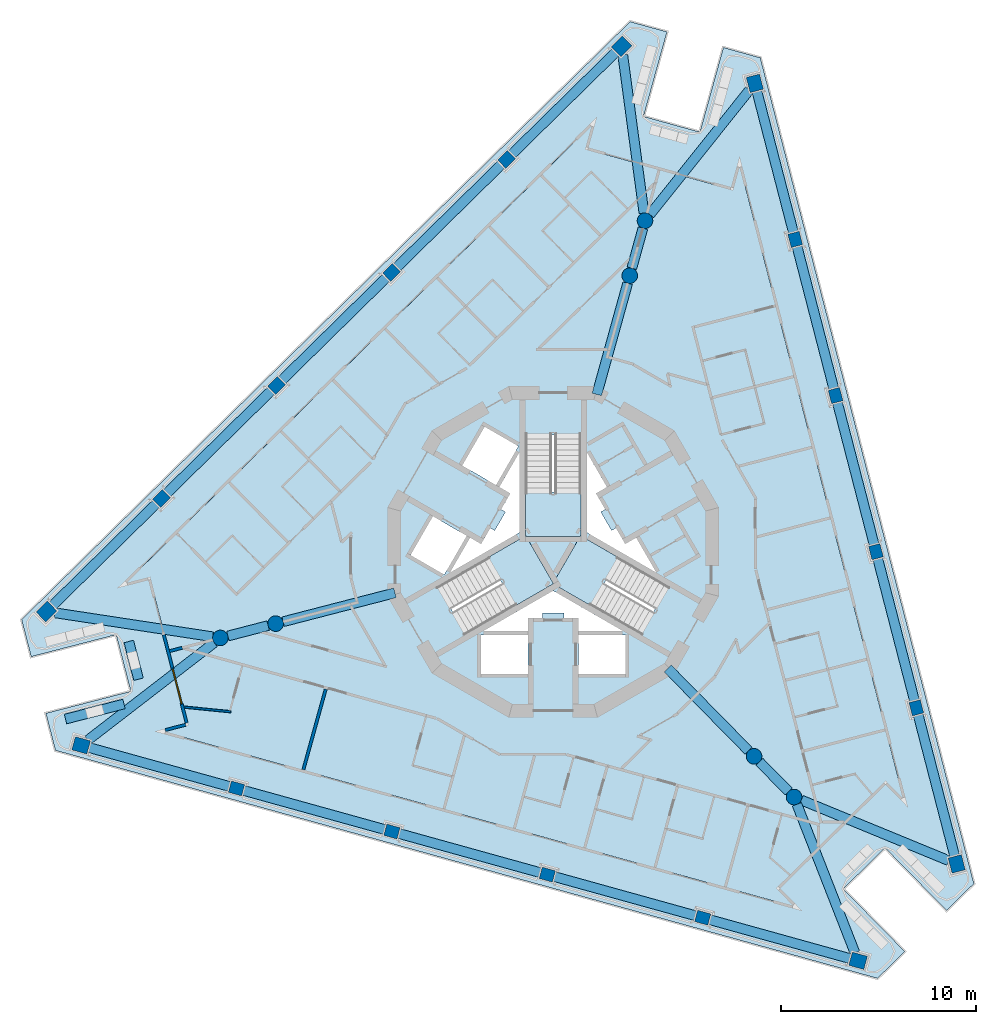
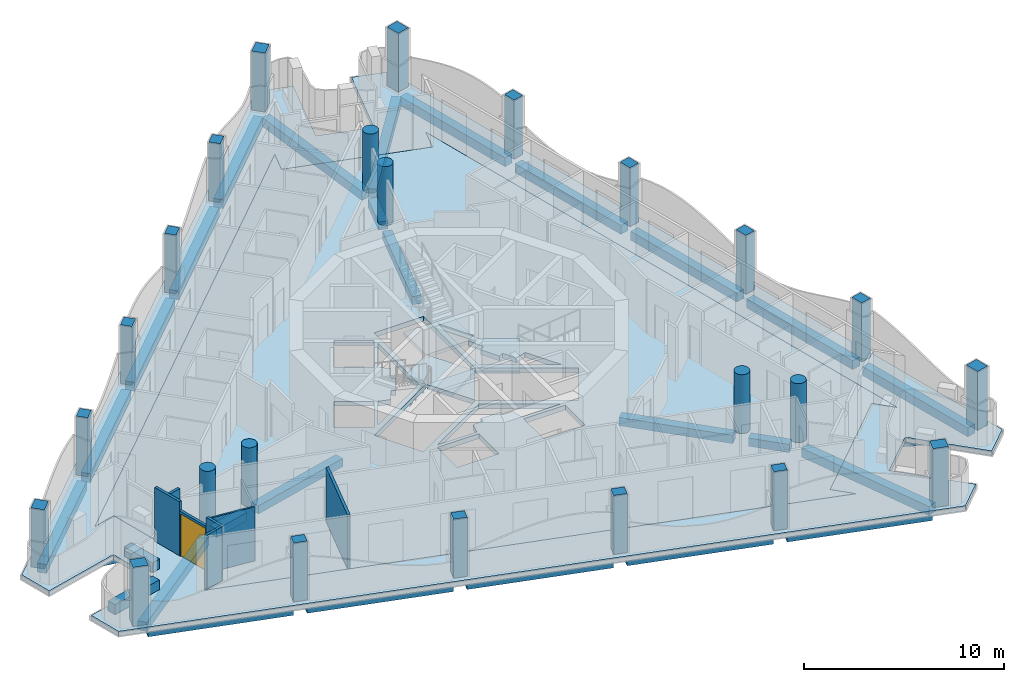
# One storey, part 1 of 14: 27 beams, 24 columns, 9 walls, 6 slabs, 1 door, 1 opening, 3 elements without a shape of their own.
"""IFC4 building model written with IfcOpenShell, lengths in metres."""

from ifc_helpers import new_model, si_unit, direction, frame, frame_2d, origin, origin_2d, place, context, subcontext, project, spatial, polyline, rectangle, circle, outline, extrude, material, layer, layer_set, material_profile, profile_set, type_object, element, fill, aggregate, save


model = new_model("IFC4")

# Units and contexts
model_context = context("Model", 3, precision=1e-05, world=origin(), true_north=direction((0.0, 1.0)))
body_context = subcontext(model_context, "Body", "Model", "MODEL_VIEW")
ifc_project = project(units=[si_unit("LENGTHUNIT", "METRE"), si_unit("AREAUNIT", "SQUARE_METRE"), si_unit("VOLUMEUNIT", "CUBIC_METRE"), si_unit("PLANEANGLEUNIT", "RADIAN"), si_unit("MASSUNIT", "GRAM", prefix="KILO")], contexts=[model_context])

# Site, building, storey
site_placement = place(None, origin())
site = spatial("IfcSite", under=ifc_project, at=site_placement, CompositionType="ELEMENT")
building_placement = place(site_placement, origin())
building = spatial("IfcBuilding", under=site, at=building_placement, Name="Trine Commons Tower", CompositionType="ELEMENT")
storey_placement = place(building_placement, frame((0.0, 0.0, 242.10009765625)))
storey = spatial("IfcBuildingStorey", under=building, at=storey_placement, Name="L63", CompositionType="ELEMENT", Elevation=242.10009765625)

# Columns
ifc_material_1 = material(Name="Concrete C50/60", Category="concrete")
ifc_material_profile_1 = material_profile(ifc_material_1, rectangle(XDim=0.699951171875, YDim=0.60009765625, at=origin_2d()), Name="RC 700x600")
ifc_profile_set_1 = profile_set([ifc_material_profile_1], Name="Concrete C50/60")
column_type_1 = type_object("IfcColumnType", Name="RC column 700x600, C50/60", PredefinedType="COLUMN", material=ifc_profile_set_1)
for number, where, z_axis, x_axis, name in (
    (1, (87.668701171875, 43.74072265625, 0.0), (0.0, 0.0, 1.0), (-0.963630453209, 0.267238376078, 0.0), "Column PC7-02 L63"),
    (2, (79.70068359375, 45.950439453125, 0.0), (0.0, 0.0, 1.0), (-0.963630453209, 0.267238376078, 0.0), "Column PC7-03 L63"),
    (3, (71.73291015625, 48.16015625, 0.0), (0.0, 0.0, 1.0), (-0.963630453209, 0.267238376078, 0.0), "Column PC7-04 L63"),
    (4, (63.764892578125, 50.369873046875, 0.0), (0.0, 0.0, 1.0), (-0.963630453209, 0.267238376078, 0.0), "Column PC7-05 L63"),
    (5, (59.91943359375, 65.23828125, 0.0), (0.0, 0.0, 1.0), (0.713250449154, 0.7009092643, 0.0), "Column PC7-08 L63"),
    (6, (65.817138671875, 71.033935546875, 0.0), (0.0, 0.0, 1.0), (0.713250449154, 0.7009092643, 0.0), "Column PC7-09 L63"),
    (7, (71.71484375, 76.82958984375, 0.0), (0.0, 0.0, 1.0), (0.713250449154, 0.7009092643, 0.0), "Column PC7-10 L63"),
    (8, (77.612548828125, 82.625244140625, 0.0), (0.0, 0.0, 1.0), (0.713250449154, 0.7009092643, 0.0), "Column PC7-11 L63"),
    (9, (92.41162109375, 78.52099609375, 0.0), (0.0, 0.0, 1.0), (-0.250380004054, 0.968147640378, 0.0), "Column PC7-14 L63"),
    (10, (94.48193359375, 70.515625, 0.0), (0.0, 0.0, 1.0), (-0.250380004054, 0.968147640378, 0.0), "Column PC7-15 L63"),
    (11, (96.55224609375, 62.51025390625, 0.0), (0.0, 0.0, 1.0), (-0.250380004054, 0.968147640378, 0.0), "Column PC7-16 L63"),
    (12, (98.622802734375, 54.5048828125, 0.0), (0.0, 0.0, 1.0), (-0.250380004054, 0.968147640378, 0.0), "Column PC7-17 L63"),
):
    element("IfcColumn", number, at=place(storey_placement, frame(where, z_axis=z_axis, x_axis=x_axis)), inside=storey, type_object=column_type_1, Name=name, PredefinedType="COLUMN", context=body_context, shape_type="SweptSolid", body=[
        extrude(rectangle(XDim=0.699951171875, YDim=0.60009765625, at=origin_2d()), origin(), (0.0, 0.0, 1.0), 3.599853515625),
    ])
ifc_material_profile_2 = material_profile(ifc_material_1, rectangle(XDim=0.800048828125, YDim=0.699951171875, at=origin_2d()), Name="RC 800x700")
ifc_profile_set_2 = profile_set([ifc_material_profile_2], Name="Concrete C50/60")
column_type_2 = type_object("IfcColumnType", Name="RC column 800x700, C50/60", PredefinedType="COLUMN", material=ifc_profile_set_2)
for number, where, z_axis, x_axis, name in (
    (13, (95.63671875, 41.531005859375, 0.0), (0.0, 0.0, 1.0), (-0.963630453209, 0.267238376078, 0.0), "Column PC7-01 L63"),
    (14, (55.796875, 52.57958984375, 0.0), (0.0, 0.0, 1.0), (-0.963630453209, 0.267238376078, 0.0), "Column PC7-06 L63"),
    (15, (54.02197265625, 59.442626953125, 0.0), (0.0, 0.0, 1.0), (0.713250449154, 0.7009092643, 0.0), "Column PC7-07 L63"),
    (16, (83.51025390625, 88.4208984375, 0.0), (0.0, 0.0, 1.0), (0.713250449154, 0.7009092643, 0.0), "Column PC7-12 L63"),
    (17, (90.34130859375, 86.5263671875, 0.0), (0.0, 0.0, 1.0), (-0.250380004054, 0.968147640378, 0.0), "Column PC7-13 L63"),
    (18, (100.693115234375, 46.499755859375, 0.0), (0.0, 0.0, 1.0), (-0.250380004054, 0.968147640378, 0.0), "Column PC7-18 L63"),
):
    element("IfcColumn", number, at=place(storey_placement, frame(where, z_axis=z_axis, x_axis=x_axis)), inside=storey, type_object=column_type_2, Name=name, PredefinedType="COLUMN", context=body_context, shape_type="SweptSolid", body=[
        extrude(rectangle(XDim=0.800048828125, YDim=0.699951171875, at=origin_2d()), origin(), (0.0, 0.0, 1.0), 3.599853515625),
    ])
ifc_material_profile_3 = material_profile(ifc_material_1, circle(Radius=0.39990234375, at=origin_2d()), Name="RC round 800")
ifc_profile_set_3 = profile_set([ifc_material_profile_3], Name="Concrete C50/60")
column_type_3 = type_object("IfcColumnType", Name="RC round column 800 mm, C50/60", PredefinedType="COLUMN", material=ifc_profile_set_3)
for number, where, z_axis, x_axis, name in (
    (19, (90.301513671875, 52.01708984375, 0.0), (0.0, 0.0, 1.0), (1.0, 0.0, 0.0), "Column WC7-1 L63"),
    (20, (92.352783203125, 49.9296875, 0.0), (0.0, 0.0, 1.0), (1.0, 0.0, 0.0), "Column WC7-2 L63"),
    (21, (83.927734375, 76.66259765625, 0.0), (0.0, 0.0, 1.0), (1.0, 0.0, 0.0), "Column WC7-3 L63"),
    (22, (84.709716796875, 79.48291015625, 0.0), (0.0, 0.0, 1.0), (1.0, 0.0, 0.0), "Column WC7-4 L63"),
    (23, (65.77099609375, 58.820068359375, 0.0), (0.0, 0.0, 1.0), (1.0, 0.0, 0.0), "Column WC7-5 L63"),
    (24, (62.9375, 58.08740234375, 0.0), (0.0, 0.0, 1.0), (1.0, 0.0, 0.0), "Column WC7-6 L63"),
):
    element("IfcColumn", number, at=place(storey_placement, frame(where, z_axis=z_axis, x_axis=x_axis)), inside=storey, type_object=column_type_3, Name=name, PredefinedType="COLUMN", context=body_context, shape_type="SweptSolid", body=[
        extrude(circle(Radius=0.39990234375, at=origin_2d()), origin(), (0.0, 0.0, 1.0), 3.599853515625),
    ])

# Beams
ifc_material_2 = material(Name="Concrete C40/50", Category="concrete")
ifc_material_profile_4 = material_profile(ifc_material_2, rectangle(XDim=0.5, YDim=0.5, at=origin_2d()), Name="RC 500x500")
ifc_profile_set_4 = profile_set([ifc_material_profile_4], Name="Concrete C40/50")
beam_type_1 = type_object("IfcBeamType", Name="RC beam 500x500, C40/50", PredefinedType="BEAM", material=ifc_profile_set_4)
beam_1_placement = place(storey_placement, frame((85.87353515625, 56.523193359375, -0.550048828125), z_axis=(0.700890997639, -0.713268399292, 0.0), x_axis=(0.713268399292, 0.700890997639, 0.0)))
element("IfcBeam", 25, at=beam_1_placement, inside=storey, type_object=beam_type_1, Name="Beam RB7-01 L63", PredefinedType="BEAM", context=body_context, shape_type="SweptSolid", body=[
    extrude(rectangle(XDim=0.5, YDim=0.5, at=origin_2d()), origin(), (0.0, 0.0, 1.0), 5.91748046875),
])
beam_2_placement = place(storey_placement, frame((90.581787109375, 51.73193359375, -0.550048828125), z_axis=(0.70093857454, -0.713221644877, 0.0), x_axis=(0.713221644877, 0.70093857454, 0.0)))
element("IfcBeam", 26, at=beam_2_placement, inside=storey, type_object=beam_type_1, Name="Beam RB7-02 L63", PredefinedType="BEAM", context=body_context, shape_type="SweptSolid", body=[
    extrude(rectangle(XDim=0.5, YDim=0.5, at=origin_2d()), origin(), (0.0, 0.0, 1.0), 2.126708984375),
])
beam_3_placement = place(storey_placement, frame((82.239501953125, 70.574951171875, -0.550048828125), z_axis=(0.267209770713, 0.963638385721, 0.0), x_axis=(-0.963638385721, 0.267209770713, 0.0)))
element("IfcBeam", 27, at=beam_3_placement, inside=storey, type_object=beam_type_1, Name="Beam RB7-03 L63", PredefinedType="BEAM", context=body_context, shape_type="SweptSolid", body=[
    extrude(rectangle(XDim=0.5, YDim=0.5, at=origin_2d()), origin(), (0.0, 0.0, 1.0), 5.917724609375),
])
beam_4_placement = place(storey_placement, frame((84.034423828125, 77.0478515625, -0.550048828125), z_axis=(0.267270963033, 0.963621415453, 0.0), x_axis=(-0.963621415453, 0.267270963033, 0.0)))
element("IfcBeam", 28, at=beam_4_placement, inside=storey, type_object=beam_type_1, Name="Beam RB7-04 L63", PredefinedType="BEAM", context=body_context, shape_type="SweptSolid", body=[
    extrude(rectangle(XDim=0.5, YDim=0.5, at=origin_2d()), origin(), (0.0, 0.0, 1.0), 2.12744140625),
])
beam_5_placement = place(storey_placement, frame((71.88720703125, 60.40185546875, -0.550048828125), z_axis=(-0.968150015074, -0.250370821607, 0.0), x_axis=(0.250370821607, -0.968150015074, 0.0)))
element("IfcBeam", 29, at=beam_5_placement, inside=storey, type_object=beam_type_1, Name="Beam RB7-05 L63", PredefinedType="BEAM", context=body_context, shape_type="SweptSolid", body=[
    extrude(rectangle(XDim=0.5, YDim=0.5, at=origin_2d()), origin(), (0.0, 0.0, 1.0), 5.91796875),
])
beam_6_placement = place(storey_placement, frame((65.384033203125, 58.72021484375, -0.550048828125), z_axis=(-0.968118610388, -0.250492227863, 0.0), x_axis=(0.250492227863, -0.968118610388, 0.0)))
element("IfcBeam", 30, at=beam_6_placement, inside=storey, type_object=beam_type_1, Name="Beam RB7-06 L63", PredefinedType="BEAM", context=body_context, shape_type="SweptSolid", body=[
    extrude(rectangle(XDim=0.5, YDim=0.5, at=origin_2d()), origin(), (0.0, 0.0, 1.0), 2.127685546875),
])
ifc_material_profile_5 = material_profile(ifc_material_2, rectangle(XDim=0.5, YDim=0.550048828125, at=origin_2d()), Name="RC 500x550")
ifc_profile_set_5 = profile_set([ifc_material_profile_5], Name="Concrete C40/50")
beam_type_2 = type_object("IfcBeamType", Name="RC beam 500x550, C40/50", PredefinedType="BEAM", material=ifc_profile_set_5)
beam_7_placement = place(storey_placement, frame((95.251220703125, 41.6376953125, -0.5751953125), z_axis=(-0.963621113681, 0.267272051042, 0.0), x_axis=(-0.267272051042, -0.963621113681, 0.0)))
element("IfcBeam", 31, at=beam_7_placement, inside=storey, type_object=beam_type_2, Name="Beam EB7-01 L63", PredefinedType="BEAM", context=body_context, shape_type="SweptSolid", body=[
    extrude(rectangle(XDim=0.5, YDim=0.550048828125, at=origin_2d()), origin(), (0.0, 0.0, 1.0), 7.5185546875),
])
for number, where, z_axis, x_axis, name in (
    (32, (87.33154296875, 43.834228515625, -0.5751953125), (-0.963628737279, 0.267244563445, 0.0), (-0.267244563445, -0.963628737279, 0.0), "Beam EB7-02 L63"),
    (33, (79.363525390625, 46.0439453125, -0.5751953125), (-0.963628737279, 0.267244563445, 0.0), (-0.267244563445, -0.963628737279, 0.0), "Beam EB7-03 L63"),
    (34, (71.3955078125, 48.253662109375, -0.5751953125), (-0.963628737279, 0.267244563445, 0.0), (-0.267244563445, -0.963628737279, 0.0), "Beam EB7-04 L63"),
):
    element("IfcBeam", number, at=place(storey_placement, frame(where, z_axis=z_axis, x_axis=x_axis)), inside=storey, type_object=beam_type_2, Name=name, PredefinedType="BEAM", context=body_context, shape_type="SweptSolid", body=[
        extrude(rectangle(XDim=0.5, YDim=0.550048828125, at=origin_2d()), origin(), (0.0, 0.0, 1.0), 7.56884765625),
    ])
for number, where, z_axis, x_axis, name in (
    (35, (63.427490234375, 50.46337890625, -0.5751953125), (-0.963629476257, 0.267241898827, 0.0), (-0.267241898827, -0.963629476257, 0.0), "Beam EB7-05 L63"),
    (36, (54.30712890625, 59.72314453125, -0.5751953125), (0.713265514722, 0.700893933137, 0.0), (-0.700893933137, 0.713265514722, 0.0), "Beam EB7-06 L63"),
):
    element("IfcBeam", number, at=place(storey_placement, frame(where, z_axis=z_axis, x_axis=x_axis)), inside=storey, type_object=beam_type_2, Name=name, PredefinedType="BEAM", context=body_context, shape_type="SweptSolid", body=[
        extrude(rectangle(XDim=0.5, YDim=0.550048828125, at=origin_2d()), origin(), (0.0, 0.0, 1.0), 7.5185546875),
    ])
for number, where, z_axis, x_axis, name in (
    (37, (60.169189453125, 65.483642578125, -0.5751953125), (0.713256929801, 0.700902669485, 0.0), (-0.700902669485, 0.713256929801, 0.0), "Beam EB7-07 L63"),
    (38, (66.06689453125, 71.279296875, -0.5751953125), (0.713256929801, 0.700902669485, 0.0), (-0.700902669485, 0.713256929801, 0.0), "Beam EB7-08 L63"),
    (39, (71.964599609375, 77.074951171875, -0.5751953125), (0.713241082752, 0.700918795492, 0.0), (-0.700918795492, 0.713241082752, 0.0), "Beam EB7-09 L63"),
):
    element("IfcBeam", number, at=place(storey_placement, frame(where, z_axis=z_axis, x_axis=x_axis)), inside=storey, type_object=beam_type_2, Name=name, PredefinedType="BEAM", context=body_context, shape_type="SweptSolid", body=[
        extrude(rectangle(XDim=0.5, YDim=0.550048828125, at=origin_2d()), origin(), (0.0, 0.0, 1.0), 7.568603515625),
    ])
beam_8_placement = place(storey_placement, frame((77.862060546875, 82.87060546875, -0.5751953125), z_axis=(0.713265514722, 0.700893933137, 0.0), x_axis=(-0.700893933137, 0.713265514722, 0.0)))
element("IfcBeam", 40, at=beam_8_placement, inside=storey, type_object=beam_type_2, Name="Beam EB7-10 L63", PredefinedType="BEAM", context=body_context, shape_type="SweptSolid", body=[
    extrude(rectangle(XDim=0.5, YDim=0.550048828125, at=origin_2d()), origin(), (0.0, 0.0, 1.0), 7.5185546875),
])
beam_9_placement = place(storey_placement, frame((90.441650390625, 86.13916015625, -0.5751953125), z_axis=(0.250381772483, -0.96814718303, 0.0), x_axis=(0.96814718303, 0.250381772483, 0.0)))
element("IfcBeam", 41, at=beam_9_placement, inside=storey, type_object=beam_type_2, Name="Beam EB7-11 L63", PredefinedType="BEAM", context=body_context, shape_type="SweptSolid", body=[
    extrude(rectangle(XDim=0.5, YDim=0.550048828125, at=origin_2d()), origin(), (0.0, 0.0, 1.0), 7.518798828125),
])
for number, where, z_axis, x_axis, name in (
    (42, (92.499267578125, 78.18212890625, -0.5751953125), (0.250375524013, -0.968148798985, 0.0), (0.968148798985, 0.250375524013, 0.0), "Beam EB7-12 L63"),
    (43, (94.569580078125, 70.1767578125, -0.5751953125), (0.250375524013, -0.968148798985, 0.0), (0.968148798985, 0.250375524013, 0.0), "Beam EB7-13 L63"),
    (44, (96.639892578125, 62.17138671875, -0.5751953125), (0.250413578195, -0.968138956894, 0.0), (0.968138956894, 0.250413578195, 0.0), "Beam EB7-14 L63"),
):
    element("IfcBeam", number, at=place(storey_placement, frame(where, z_axis=z_axis, x_axis=x_axis)), inside=storey, type_object=beam_type_2, Name=name, PredefinedType="BEAM", context=body_context, shape_type="SweptSolid", body=[
        extrude(rectangle(XDim=0.5, YDim=0.550048828125, at=origin_2d()), origin(), (0.0, 0.0, 1.0), 7.568603515625),
    ])
beam_10_placement = place(storey_placement, frame((98.710205078125, 54.166015625, -0.5751953125), z_axis=(0.250389643834, -0.96814514731, 0.0), x_axis=(0.96814514731, 0.250389643834, 0.0)))
element("IfcBeam", 45, at=beam_10_placement, inside=storey, type_object=beam_type_2, Name="Beam EB7-15 L63", PredefinedType="BEAM", context=body_context, shape_type="SweptSolid", body=[
    extrude(rectangle(XDim=0.5, YDim=0.550048828125, at=origin_2d()), origin(), (0.0, 0.0, 1.0), 7.5185546875),
])
beam_11_placement = place(storey_placement, frame((56.143310546875, 52.8466796875, -0.5751953125), z_axis=(0.79181565557, 0.610760155539, 0.0), x_axis=(-0.610760155539, 0.79181565557, 0.0)))
element("IfcBeam", 46, at=beam_11_placement, inside=storey, type_object=beam_type_2, Name="Beam CB7-01 L63", PredefinedType="BEAM", context=body_context, shape_type="SweptSolid", body=[
    extrude(rectangle(XDim=0.5, YDim=0.550048828125, at=origin_2d()), origin(), (0.0, 0.0, 1.0), 8.180908203125),
])
for number, where, z_axis, x_axis, name in (
    (47, (54.454345703125, 59.376953125, -0.5751953125), (0.98863822303, -0.150314550074, 0.0), (0.150314550074, 0.98863822303, 0.0), "Beam CB7-02 L63"),
    (48, (83.568359375, 87.9873046875, -0.5751953125), (0.1330354713, -0.99111127699, 0.0), (0.99111127699, 0.1330354713, 0.0), "Beam CB7-03 L63"),
):
    element("IfcBeam", number, at=place(storey_placement, frame(where, z_axis=z_axis, x_axis=x_axis)), inside=storey, type_object=beam_type_2, Name=name, PredefinedType="BEAM", context=body_context, shape_type="SweptSolid", body=[
        extrude(rectangle(XDim=0.5, YDim=0.550048828125, at=origin_2d()), origin(), (0.0, 0.0, 1.0), 8.18115234375),
    ])
beam_12_placement = place(storey_placement, frame((90.068115234375, 86.184814453125, -0.5751953125), z_axis=(-0.624465738686, -0.781052201333, 0.0), x_axis=(0.781052201333, -0.624465738686, 0.0)))
element("IfcBeam", 49, at=beam_12_placement, inside=storey, type_object=beam_type_2, Name="Beam CB7-04 L63", PredefinedType="BEAM", context=body_context, shape_type="SweptSolid", body=[
    extrude(rectangle(XDim=0.5, YDim=0.550048828125, at=origin_2d()), origin(), (0.0, 0.0, 1.0), 8.180908203125),
])
beam_13_placement = place(storey_placement, frame((100.28857421875, 46.666015625, -0.5751953125), z_axis=(-0.924841797532, 0.380352007407, 0.0), x_axis=(-0.380352007407, -0.924841797532, 0.0)))
element("IfcBeam", 50, at=beam_13_placement, inside=storey, type_object=beam_type_2, Name="Beam CB7-05 L63", PredefinedType="BEAM", context=body_context, shape_type="SweptSolid", body=[
    extrude(rectangle(XDim=0.5, YDim=0.550048828125, at=origin_2d()), origin(), (0.0, 0.0, 1.0), 8.1806640625),
])
beam_14_placement = place(storey_placement, frame((95.4775390625, 41.938232421875, -0.5751953125), z_axis=(-0.36416079705, 0.931336090727, 0.0), x_axis=(-0.931336090727, -0.36416079705, 0.0)))
element("IfcBeam", 51, at=beam_14_placement, inside=storey, type_object=beam_type_2, Name="Beam CB7-06 L63", PredefinedType="BEAM", context=body_context, shape_type="SweptSolid", body=[
    extrude(rectangle(XDim=0.5, YDim=0.550048828125, at=origin_2d()), origin(), (0.0, 0.0, 1.0), 8.18115234375),
])

# Slabs
ifc_layer_1 = layer(ifc_material_2, 0.300048828125)
ifc_layer_set_1 = layer_set([ifc_layer_1], Name="Concrete C40/50")
slab_type_1 = type_object("IfcSlabType", Name="Loggia slab 300 mm, C40/50", PredefinedType="FLOOR", material=ifc_layer_set_1)
slab_1_placement = place(storey_placement, frame((0.0, 0.0, -0.300048828125)))
element("IfcSlab", 52, at=slab_1_placement, inside=storey, type_object=slab_type_1, Name="Loggia slab L63", PredefinedType="FLOOR", context=body_context, shape_type="SweptSolid", body=[
    extrude(outline(polyline([(101.57421875, 45.488037109375), (90.621826171875, 87.83837890625), (88.72900390625, 88.36328125), (87.526611328125, 84.02685546875), (84.6357421875, 84.82861328125), (85.838134765625, 89.1650390625), (83.945556640625, 89.68994140625), (52.745361328125, 59.029541015625), (53.2373046875, 57.1279296875), (57.593994140625, 58.254638671875), (58.344970703125, 55.350341796875), (53.98828125, 54.2236328125), (54.47998046875, 52.322021484375), (96.6328125, 40.632080078125), (98.03369140625, 42.0087890625), (94.879638671875, 45.218505859375), (97.019287109375, 47.321044921875), (100.17333984375, 44.111572265625), (101.57421875, 45.488037109375)]), holes=[polyline([(59.31640625, 61.17919921875), (61.26953125, 53.627685546875), (59.96728515625, 53.291015625), (92.42822265625, 44.28857421875), (91.485595703125, 45.248046875), (97.048828125, 50.715087890625), (97.99169921875, 49.755615234375), (89.557373046875, 82.368896484375), (89.197998046875, 81.07275390625), (81.681640625, 83.1572265625), (82.041015625, 84.453369140625), (58.014404296875, 60.84228515625), (59.31640625, 61.17919921875)])]), origin(), (0.0, 0.0, 1.0), 0.300048828125),
])
ifc_layer_2 = layer(ifc_material_2, 0.300048828125)
ifc_layer_set_2 = layer_set([ifc_layer_2], Name="Concrete C40/50")
slab_type_2 = type_object("IfcSlabType", Name="PT flat slab 300 mm, C40/50", PredefinedType="FLOOR", material=ifc_layer_set_2)
slab_2_placement = place(storey_placement, frame((0.0, 0.0, -0.300048828125)))
element("IfcSlab", 53, at=slab_2_placement, inside=storey, type_object=slab_type_2, Name="Floor slab L63", PredefinedType="FLOOR", context=body_context, shape_type="SweptSolid", body=[
    extrude(outline(polyline([(58.014404296875, 60.84228515625), (59.31640625, 61.17919921875), (61.26953125, 53.627685546875), (59.96728515625, 53.291015625), (92.42822265625, 44.28857421875), (91.485595703125, 45.248046875), (97.048828125, 50.715087890625), (97.99169921875, 49.755615234375), (89.557373046875, 82.368896484375), (89.197998046875, 81.07275390625), (81.681640625, 83.1572265625), (82.041015625, 84.453369140625), (58.014404296875, 60.84228515625)]), holes=[polyline([(78.699951171875, 56.25), (78.699951171875, 58.25), (76.300048828125, 58.25), (76.300048828125, 56.25), (78.699951171875, 56.25)]), polyline([(83.699951171875, 56.25), (83.699951171875, 58.25), (81.300048828125, 58.25), (81.300048828125, 56.25), (83.699951171875, 56.25)]), polyline([(81.300048828125, 58.449951171875), (83.56494140625, 58.449951171875), (80.0, 60.508056640625), (76.43505859375, 58.449951171875), (78.699951171875, 58.449951171875), (78.85009765625, 59.10009765625), (79.449951171875, 59.10009765625), (79.449951171875, 59.360107421875), (80.550048828125, 59.360107421875), (80.550048828125, 59.10009765625), (81.14990234375, 59.10009765625), (81.300048828125, 58.449951171875)]), polyline([(81.425048828125, 63.32275390625), (81.425048828125, 68.490478515625), (78.574951171875, 68.490478515625), (78.574951171875, 63.32275390625), (74.099609375, 60.73876953125), (75.5244140625, 58.2705078125), (80.0, 60.8544921875), (84.4755859375, 58.2705078125), (85.900390625, 60.73876953125), (81.425048828125, 63.32275390625)]), polyline([(72.687255859375, 62.333984375), (74.41943359375, 61.333984375), (75.5693359375, 63.325927734375), (73.83740234375, 64.325927734375), (72.687255859375, 62.333984375)]), polyline([(76.381103515625, 63.031005859375), (75.742919921875, 63.22607421875), (74.7099609375, 61.43798828125), (78.27490234375, 63.49609375), (78.27490234375, 67.612060546875), (77.242919921875, 65.823974609375), (77.73095703125, 65.368896484375), (77.3310546875, 64.676025390625), (77.555908203125, 64.5458984375), (77.006103515625, 63.593994140625), (76.781005859375, 63.722900390625), (76.381103515625, 63.031005859375)]), polyline([(82.993896484375, 63.593994140625), (82.444091796875, 64.5458984375), (82.72705078125, 64.7099609375), (82.281005859375, 65.549072265625), (82.757080078125, 65.823974609375), (81.72509765625, 67.612060546875), (81.72509765625, 63.49609375), (85.2900390625, 61.43798828125), (84.257080078125, 63.22607421875), (83.618896484375, 63.031005859375), (83.243896484375, 63.738037109375), (82.993896484375, 63.593994140625)]), polyline([(76.4873046875, 68.916015625), (75.33740234375, 66.924072265625), (77.0693359375, 65.924072265625), (78.219482421875, 67.916015625), (76.4873046875, 68.916015625)])]), origin(), (0.0, 0.0, 1.0), 0.300048828125),
])
slab_3_placement = place(storey_placement, frame((0.0, 0.0, -0.300048828125)))
element("IfcSlab", 54, at=slab_3_placement, inside=storey, type_object=slab_type_2, Name="Floor slab L63 2", PredefinedType="FLOOR", context=body_context, shape_type="SweptSolid", body=[
    extrude(outline(polyline([(81.38671875, 63.300537109375), (78.61328125, 63.300537109375), (80.0, 60.89892578125), (81.38671875, 63.300537109375)])), origin(), (0.0, 0.0, 1.0), 0.300048828125),
])

# Stair, slab
stair_type = type_object("IfcStairType", Name="Exit stair, dog-leg, 24 risers of 150 mm", PredefinedType="HALF_TURN_STAIR", material=ifc_material_1)
stair_1_placement = place(storey_placement, origin())
stair_1 = element("IfcStair", 55, at=stair_1_placement, inside=storey, type_object=stair_type, Name="L63 Exit stair ST1C", PredefinedType="HALF_TURN_STAIR")
ifc_layer_3 = layer(ifc_material_1, 0.199951171875)
ifc_layer_set_3 = layer_set([ifc_layer_3], Name="Concrete C50/60")
slab_type_3 = type_object("IfcSlabType", Name="Stair landing slab 200 mm, C50/60", PredefinedType="LANDING", material=ifc_layer_set_3)
slab_4_placement = place(storey_placement, frame((0.0, 0.0, 1.599853515625)))
slab_4 = element("IfcSlab", 56, at=slab_4_placement, type_object=slab_type_3, Name="ST1C landing 1", PredefinedType="LANDING", context=body_context, shape_type="SweptSolid", body=[
    extrude(outline(polyline([(78.574951171875, 65.570556640625), (78.574951171875, 63.300537109375), (81.425048828125, 63.300537109375), (81.425048828125, 65.570556640625), (78.574951171875, 65.570556640625)])), origin(), (0.0, 0.0, 1.0), 0.199951171875),
])
aggregate(stair_1, [slab_4])

stair_2_placement = place(storey_placement, origin())
stair_2 = element("IfcStair", 57, at=stair_2_placement, inside=storey, type_object=stair_type, Name="L63 Exit stair ST2C", PredefinedType="HALF_TURN_STAIR")
slab_5_placement = place(storey_placement, frame((0.0, 0.0, 1.599853515625)))
slab_5 = element("IfcSlab", 58, at=slab_5_placement, type_object=slab_type_3, Name="ST2C landing 1", PredefinedType="LANDING", context=body_context, shape_type="SweptSolid", body=[
    extrude(outline(polyline([(78.05322265625, 59.730712890625), (80.019287109375, 60.86572265625), (78.59423828125, 63.333740234375), (76.628173828125, 62.19873046875), (78.05322265625, 59.730712890625)])), origin(), (0.0, 0.0, 1.0), 0.199951171875),
])
aggregate(stair_2, [slab_5])

stair_3_placement = place(storey_placement, origin())
stair_3 = element("IfcStair", 59, at=stair_3_placement, inside=storey, type_object=stair_type, Name="L63 Exit stair ST3C", PredefinedType="HALF_TURN_STAIR")
slab_6_placement = place(storey_placement, frame((0.0, 0.0, 1.599853515625)))
slab_6 = element("IfcSlab", 60, at=slab_6_placement, type_object=slab_type_3, Name="ST3C landing 1", PredefinedType="LANDING", context=body_context, shape_type="SweptSolid", body=[
    extrude(outline(polyline([(83.371826171875, 62.19873046875), (81.40576171875, 63.333740234375), (79.980712890625, 60.86572265625), (81.94677734375, 59.730712890625), (83.371826171875, 62.19873046875)])), origin(), (0.0, 0.0, 1.0), 0.199951171875),
])
aggregate(stair_3, [slab_6])

# Walls
ifc_material_3 = material(Name="Aluminium-framed insulated wall panel", Category="aluminium")
ifc_layer_4 = layer(ifc_material_3, 0.14990234375)
ifc_layer_set_4 = layer_set([ifc_layer_4], Name="Aluminium-framed insulated wall panel")
wall_type_1 = type_object("IfcWallType", Name="Glazed frame wall 150, EI 60", PredefinedType="SOLIDWALL", material=ifc_layer_set_4)
wall_1_placement = place(storey_placement, frame((59.95849609375, 53.32470703125, 0.0), z_axis=(0.0, 0.0, 1.0), x_axis=(0.968124150503, 0.250470815091, 0.0)))
element("IfcWall", 61, at=wall_1_placement, inside=storey, type_object=wall_type_1, Name="Glazed frame wall R10", PredefinedType="SOLIDWALL", context=body_context, shape_type="SweptSolid", body=[
    extrude(outline(polyline([(0.1494140625, 0.074951171875), (0.1494140625, -0.074951171875), (1.235107421875, -0.074951171875), (1.235107421875, 0.074951171875), (0.1494140625, 0.074951171875)])), origin(), (0.0, 0.0, 1.0), 3.2998046875),
])
wall_2_placement = place(storey_placement, frame((61.235595703125, 53.618896484375, 0.0), z_axis=(0.0, 0.0, 1.0), x_axis=(-0.250361300835, 0.968152477167, 0.0)))
element("IfcWall", 62, at=wall_2_placement, inside=storey, type_object=wall_type_1, Name="Glazed frame wall P3.1", PredefinedType="SOLIDWALL", context=body_context, shape_type="SweptSolid", body=[
    extrude(outline(polyline([(0.110107421875, -0.074951171875), (1.10009765625, -0.074951171875), (1.10009765625, 0.074951171875), (0.110107421875, 0.074951171875), (0.110107421875, -0.074951171875)])), origin(), (0.0, 0.0, 1.0), 3.2998046875),
])

# Wall, opening, door
wall_3_placement = place(storey_placement, frame((60.960205078125, 54.683837890625, 0.0), z_axis=(0.0, 0.0, 1.0), x_axis=(-0.250450586115, 0.968129383871, 0.0)))
wall_3 = element("IfcWall", 63, at=wall_3_placement, inside=storey, type_object=wall_type_1, Name="Glazed frame wall P3.2", PredefinedType="SOLIDWALL", context=body_context, shape_type="SweptSolid", body=[
    extrude(outline(polyline([(0.0, -0.074951171875), (1.92138671875, -0.074951171875), (1.92138671875, 0.074951171875), (0.0, 0.074951171875), (0.0, -0.074951171875)])), origin(), (0.0, 0.0, 1.0), 2.75),
])
opening_placement = place(wall_3_placement, frame((0.050048828125, 0.0, 0.0)))
opening = element("IfcOpeningElement", 64, at=opening_placement, cuts=wall_3, Name="Opening BD-7P3-01", PredefinedType="OPENING", context=body_context, shape_type="SweptSolid", body=[
    extrude(rectangle(XDim=1.800048828125, YDim=2.60009765625, at=frame_2d((0.89990234375, 1.300048828125))), frame((0.0, 0.0849609375, 0.0), z_axis=(0.0, -1.0, 0.0), x_axis=(1.0, 0.0, 0.0)), (0.0, 0.0, 1.0), 0.169921875),
])
ifc_material_4 = material(Name="Anodised aluminium frame with double glazing", Category="aluminium")
door_type = type_object("IfcDoorType", Name="Sliding loggia door 1800x2600", OperationType="SLIDING_TO_LEFT", PredefinedType="DOOR", material=ifc_material_4)
door_placement = place(opening_placement, origin())
door = element("IfcDoor", 65, at=door_placement, inside=storey, type_object=door_type, Name="Loggia door P3 1", OperationType="SLIDING_TO_LEFT", OverallHeight=2.60009765625, OverallWidth=1.800048828125, PredefinedType="DOOR", context=body_context, shape_type="SweptSolid", body=[
    extrude(rectangle(XDim=1.800048828125, YDim=2.60009765625, at=frame_2d((0.89990234375, 1.300048828125))), frame((0.0, 0.02490234375, 0.0), z_axis=(0.0, -1.0, 0.0), x_axis=(1.0, 0.0, 0.0)), (0.0, 0.0, 1.0), 0.050048828125),
])
fill(opening, door)

# Walls
wall_4_placement = place(storey_placement, frame((60.47900390625, 56.5439453125, 0.0), z_axis=(0.0, 0.0, 1.0), x_axis=(-0.250373840462, 0.968149234371, 0.0)))
element("IfcWall", 66, at=wall_4_placement, inside=storey, type_object=wall_type_1, Name="Glazed frame wall P3.3", PredefinedType="SOLIDWALL", context=body_context, shape_type="SweptSolid", body=[
    extrude(outline(polyline([(0.0, -0.074951171875), (1.757080078125, -0.074951171875), (1.757080078125, 0.074951171875), (0.0, 0.074951171875), (0.0, -0.074951171875)])), origin(), (0.0, 0.0, 1.0), 3.2998046875),
])
ifc_material_5 = material(Name="Planter trough, precast concrete C40/50", Category="concrete")
ifc_layer_5 = layer(ifc_material_5, 0.5)
ifc_layer_set_5 = layer_set([ifc_layer_5], Name="Planter trough, precast concrete C40/50")
wall_type_2 = type_object("IfcWallType", Name="Planter trough 500x600", PredefinedType="PARAPET", material=ifc_layer_set_5)
wall_5_placement = place(storey_placement, frame((54.994873046875, 53.92626953125, 0.0), z_axis=(0.0, 0.0, 1.0), x_axis=(0.968151190511, 0.250366276306, 0.0)))
element("IfcWall", 67, at=wall_5_placement, inside=storey, type_object=wall_type_2, Name="Planter 1", PredefinedType="PARAPET", context=body_context, shape_type="SweptSolid", body=[
    extrude(rectangle(XDim=3.099853515625, YDim=0.5, at=frame_2d((1.5498046875, 0.0))), origin(), (0.0, 0.0, 1.0), 0.599853515625),
])
wall_6_placement = place(storey_placement, frame((58.74267578125, 55.969482421875, 0.0), z_axis=(0.0, 0.0, 1.0), x_axis=(-0.250483427189, 0.968120887443, 0.0)))
element("IfcWall", 68, at=wall_6_placement, inside=storey, type_object=wall_type_2, Name="Planter 2", PredefinedType="PARAPET", context=body_context, shape_type="SweptSolid", body=[
    extrude(rectangle(XDim=2.0, YDim=0.5, at=frame_2d((1.0, 0.0))), origin(), (0.0, 0.0, 1.0), 0.599853515625),
])
ifc_material_6 = material(Name="Gypsum plasterboard on steel stud", Category="steel")
ifc_layer_6 = layer(ifc_material_6, 0.14990234375)
ifc_layer_set_6 = layer_set([ifc_layer_6], Name="Gypsum plasterboard on steel stud")
wall_type_3 = type_object("IfcWallType", Name="Unit and corridor wall 150 mm, EI 60", PredefinedType="PARTITIONING", material=ifc_layer_set_6)
wall_7_placement = place(storey_placement, frame((60.331787109375, 57.4130859375, 0.0), z_axis=(0.0, 0.0, 1.0), x_axis=(0.968209183311, 0.250141914426, 0.0)))
element("IfcWall", 69, at=wall_7_placement, inside=storey, type_object=wall_type_3, Name="Partition 001", PredefinedType="PARTITIONING", context=body_context, shape_type="SweptSolid", body=[
    extrude(rectangle(XDim=0.67138671875, YDim=0.14990234375, at=frame_2d((0.335693359375, 0.0))), origin(), (0.0, 0.0, 1.0), 3.2998046875),
])
wall_8_placement = place(storey_placement, frame((67.191650390625, 51.32861328125, 0.0), z_axis=(0.0, 0.0, 1.0), x_axis=(0.267270648008, 0.963621502828, 0.0)))
element("IfcWall", 70, at=wall_8_placement, inside=storey, type_object=wall_type_3, Name="Partition 016", PredefinedType="PARTITIONING", context=body_context, shape_type="SweptSolid", body=[
    extrude(rectangle(XDim=4.284912109375, YDim=0.14990234375, at=frame_2d((2.142578125, 0.0))), origin(), (0.0, 0.0, 1.0), 3.2998046875),
])
ifc_layer_7 = layer(ifc_material_6, 0.10009765625)
ifc_layer_set_7 = layer_set([ifc_layer_7], Name="Gypsum plasterboard on steel stud")
wall_type_4 = type_object("IfcWallType", Name="Unit partition 100 mm, no rating", PredefinedType="PARTITIONING", material=ifc_layer_set_7)
wall_9_placement = place(storey_placement, frame((61.07177734375, 54.54296875, 0.0), z_axis=(0.0, 0.0, 1.0), x_axis=(0.994963516173, -0.100237724861, 0.0)))
element("IfcWall", 71, at=wall_9_placement, inside=storey, type_object=wall_type_4, Name="Partition 005", PredefinedType="PARTITIONING", context=body_context, shape_type="SweptSolid", body=[
    extrude(rectangle(XDim=2.404052734375, YDim=0.10009765625, at=frame_2d((1.2021484375, 0.0))), origin(), (0.0, 0.0, 1.0), 3.2998046875),
])

save(model, "model.ifc")
